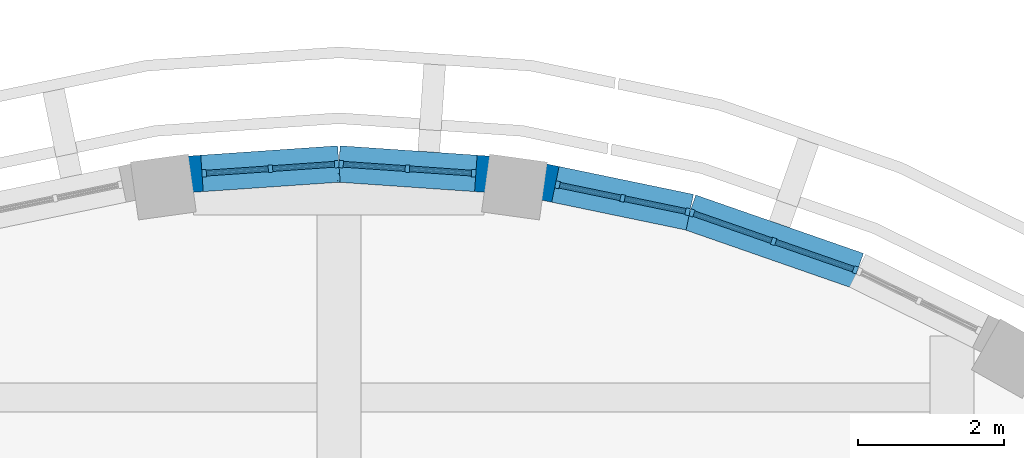
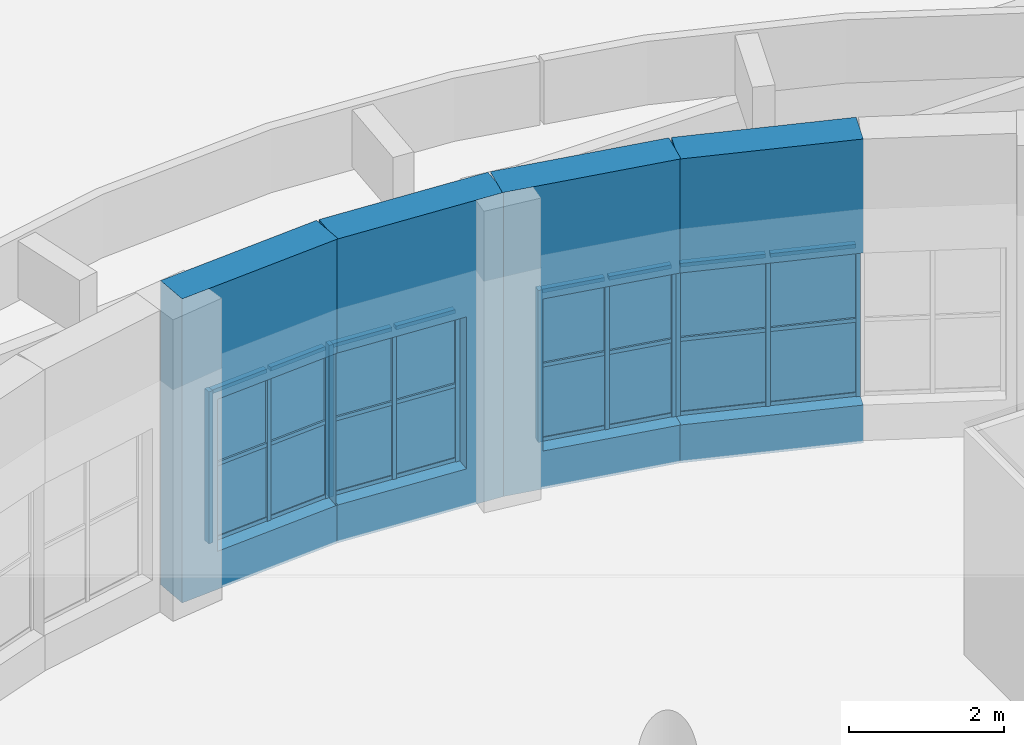
# One storey, part 36 of 79: 36 members, 16 plates, 4 walls, 4 openings, 4 elements without a shape of their own.
"""IFC4 building model written with IfcOpenShell, lengths in metres."""

from ifc_helpers import new_model, si_unit, direction, frame, frame_2d, origin, origin_2d, place, context, subcontext, project, spatial, rectangle, extrude, material, layer, layer_set, material_profile, profile_set, type_object, element, fill, aggregate, save


model = new_model("IFC4")

# Units and contexts
model_context = context("Model", 3, precision=1e-05, world=origin(), true_north=direction((0.0, 1.0)))
body_context = subcontext(model_context, "Body", "Model", "MODEL_VIEW")
ifc_project = project(units=[si_unit("LENGTHUNIT", "METRE"), si_unit("AREAUNIT", "SQUARE_METRE"), si_unit("VOLUMEUNIT", "CUBIC_METRE"), si_unit("PLANEANGLEUNIT", "RADIAN"), si_unit("MASSUNIT", "GRAM", prefix="KILO")], contexts=[model_context])

# Site, building, storey
site_placement = place(None, origin())
site = spatial("IfcSite", under=ifc_project, at=site_placement, CompositionType="ELEMENT")
building_placement = place(site_placement, origin())
building = spatial("IfcBuilding", under=site, at=building_placement, Name="Larchfold Concert Hall", CompositionType="ELEMENT")
storey_placement = place(building_placement, frame((0.0, 0.0, 14.39990234375)))
storey = spatial("IfcBuildingStorey", under=building, at=storey_placement, Name="L03", CompositionType="ELEMENT", Elevation=14.39990234375)

# Curtain wall, members
ifc_material_1 = material(Name="Anodised graphite aluminium curtain wall", Category="aluminium")
ifc_layer_1 = layer(ifc_material_1, 0.10009765625)
ifc_layer_set_1 = layer_set([ifc_layer_1], Name="Anodised graphite aluminium curtain wall")
curtain_wall_type = type_object("IfcCurtainWallType", Name="Curtain wall GB", PredefinedType="NOTDEFINED", material=ifc_layer_set_1)
curtain_wall_1_placement = place(storey_placement, origin())
curtain_wall_1 = element("IfcCurtainWall", 1, at=curtain_wall_1_placement, inside=storey, type_object=curtain_wall_type, Name="Curtain wall CW0017", PredefinedType="NOTDEFINED")
ifc_material_2 = material(Name="Anodised graphite aluminium mullion", Category="aluminium")
ifc_material_profile_1 = material_profile(ifc_material_2, rectangle(XDim=0.10009765625, YDim=0.06005859375, at=origin_2d()))
ifc_profile_set_1 = profile_set([ifc_material_profile_1], Name="Anodised graphite aluminium mullion")
member_type_1 = type_object("IfcMemberType", Name="Aluminium mullion 60x100", PredefinedType="MULLION", material=ifc_profile_set_1)
member_1_placement = place(storey_placement, frame((49.67724609375, 117.148681640625, 0.60009765625), z_axis=(0.0, 0.0, 1.0), x_axis=(-0.32887481826, -0.944373524573, 0.0)))
member_1 = element("IfcMember", 2, at=member_1_placement, type_object=member_type_1, Name="CW0017 mullion 1", PredefinedType="MULLION", context=body_context, shape_type="SweptSolid", body=[
    extrude(rectangle(XDim=0.10009765625, YDim=0.06005859375, at=origin_2d()), origin(), (0.0, 0.0, 1.0), 2.39990234375),
])
member_2_placement = place(storey_placement, frame((48.556884765625, 117.5390625, 0.60009765625), z_axis=(0.0, 0.0, 1.0), x_axis=(-0.32887481826, -0.944373524573, 0.0)))
member_2 = element("IfcMember", 3, at=member_2_placement, type_object=member_type_1, Name="CW0017 mullion 2", PredefinedType="MULLION", context=body_context, shape_type="SweptSolid", body=[
    extrude(rectangle(XDim=0.10009765625, YDim=0.06005859375, at=origin_2d()), origin(), (0.0, 0.0, 1.0), 2.39990234375),
])
member_3_placement = place(storey_placement, frame((47.4365234375, 117.92919921875, 0.60009765625), z_axis=(0.0, 0.0, 1.0), x_axis=(-0.32887481826, -0.944373524573, 0.0)))
member_3 = element("IfcMember", 4, at=member_3_placement, type_object=member_type_1, Name="CW0017 mullion 3", PredefinedType="MULLION", context=body_context, shape_type="SweptSolid", body=[
    extrude(rectangle(XDim=0.10009765625, YDim=0.06005859375, at=origin_2d()), origin(), (0.0, 0.0, 1.0), 2.39990234375),
])

curtain_wall_2_placement = place(storey_placement, origin())
curtain_wall_2 = element("IfcCurtainWall", 5, at=curtain_wall_2_placement, inside=storey, type_object=curtain_wall_type, Name="Curtain wall CW0018", PredefinedType="NOTDEFINED")
member_4_placement = place(storey_placement, frame((47.37890625, 117.945068359375, 0.60009765625), z_axis=(0.0, 0.0, 1.0), x_axis=(-0.203000450347, -0.97917864415, 0.0)))
member_4 = element("IfcMember", 6, at=member_4_placement, type_object=member_type_1, Name="CW0018 mullion 1", PredefinedType="MULLION", context=body_context, shape_type="SweptSolid", body=[
    extrude(rectangle(XDim=0.10009765625, YDim=0.06005859375, at=origin_2d()), origin(), (0.0, 0.0, 1.0), 2.39990234375),
])
member_5_placement = place(storey_placement, frame((46.4873046875, 118.1298828125, 0.60009765625), z_axis=(0.0, 0.0, 1.0), x_axis=(-0.203000450347, -0.97917864415, 0.0)))
member_5 = element("IfcMember", 7, at=member_5_placement, type_object=member_type_1, Name="CW0018 mullion 2", PredefinedType="MULLION", context=body_context, shape_type="SweptSolid", body=[
    extrude(rectangle(XDim=0.10009765625, YDim=0.06005859375, at=origin_2d()), origin(), (0.0, 0.0, 1.0), 2.39990234375),
])
member_6_placement = place(storey_placement, frame((45.595703125, 118.314697265625, 0.60009765625), z_axis=(0.0, 0.0, 1.0), x_axis=(-0.203000450347, -0.97917864415, 0.0)))
member_6 = element("IfcMember", 8, at=member_6_placement, type_object=member_type_1, Name="CW0018 mullion 3", PredefinedType="MULLION", context=body_context, shape_type="SweptSolid", body=[
    extrude(rectangle(XDim=0.10009765625, YDim=0.06005859375, at=origin_2d()), origin(), (0.0, 0.0, 1.0), 2.39990234375),
])

curtain_wall_3_placement = place(storey_placement, origin())
curtain_wall_3 = element("IfcCurtainWall", 9, at=curtain_wall_3_placement, inside=storey, type_object=curtain_wall_type, Name="Curtain wall CW0019", PredefinedType="NOTDEFINED")
member_7_placement = place(storey_placement, frame((44.446533203125, 118.47265625, 0.60009765625), z_axis=(0.0, 0.0, 1.0), x_axis=(-0.068793182221, -0.997630942824, 0.0)))
member_7 = element("IfcMember", 10, at=member_7_placement, type_object=member_type_1, Name="CW0019 mullion 1", PredefinedType="MULLION", context=body_context, shape_type="SweptSolid", body=[
    extrude(rectangle(XDim=0.10009765625, YDim=0.06005859375, at=origin_2d()), origin(), (0.0, 0.0, 1.0), 2.39990234375),
])
member_8_placement = place(storey_placement, frame((43.538330078125, 118.535400390625, 0.60009765625), z_axis=(0.0, 0.0, 1.0), x_axis=(-0.068793182221, -0.997630942824, 0.0)))
member_8 = element("IfcMember", 11, at=member_8_placement, type_object=member_type_1, Name="CW0019 mullion 2", PredefinedType="MULLION", context=body_context, shape_type="SweptSolid", body=[
    extrude(rectangle(XDim=0.10009765625, YDim=0.06005859375, at=origin_2d()), origin(), (0.0, 0.0, 1.0), 2.39990234375),
])
member_9_placement = place(storey_placement, frame((42.630126953125, 118.59814453125, 0.60009765625), z_axis=(0.0, 0.0, 1.0), x_axis=(-0.068793182221, -0.997630942824, 0.0)))
member_9 = element("IfcMember", 12, at=member_9_placement, type_object=member_type_1, Name="CW0019 mullion 3", PredefinedType="MULLION", context=body_context, shape_type="SweptSolid", body=[
    extrude(rectangle(XDim=0.10009765625, YDim=0.06005859375, at=origin_2d()), origin(), (0.0, 0.0, 1.0), 2.39990234375),
])

curtain_wall_4_placement = place(storey_placement, origin())
curtain_wall_4 = element("IfcCurtainWall", 13, at=curtain_wall_4_placement, inside=storey, type_object=curtain_wall_type, Name="Curtain wall CW0020", PredefinedType="NOTDEFINED")
member_10_placement = place(storey_placement, frame((42.570068359375, 118.59814453125, 0.60009765625), z_axis=(0.0, 0.0, 1.0), x_axis=(0.068793182221, -0.997630942824, 0.0)))
member_10 = element("IfcMember", 14, at=member_10_placement, type_object=member_type_1, Name="CW0020 mullion 1", PredefinedType="MULLION", context=body_context, shape_type="SweptSolid", body=[
    extrude(rectangle(XDim=0.10009765625, YDim=0.06005859375, at=origin_2d()), origin(), (0.0, 0.0, 1.0), 2.39990234375),
])
member_11_placement = place(storey_placement, frame((41.661865234375, 118.535400390625, 0.60009765625), z_axis=(0.0, 0.0, 1.0), x_axis=(0.068793182221, -0.997630942824, 0.0)))
member_11 = element("IfcMember", 15, at=member_11_placement, type_object=member_type_1, Name="CW0020 mullion 2", PredefinedType="MULLION", context=body_context, shape_type="SweptSolid", body=[
    extrude(rectangle(XDim=0.10009765625, YDim=0.06005859375, at=origin_2d()), origin(), (0.0, 0.0, 1.0), 2.39990234375),
])
member_12_placement = place(storey_placement, frame((40.753662109375, 118.47265625, 0.60009765625), z_axis=(0.0, 0.0, 1.0), x_axis=(0.068793182221, -0.997630942824, 0.0)))
member_12 = element("IfcMember", 16, at=member_12_placement, type_object=member_type_1, Name="CW0020 mullion 3", PredefinedType="MULLION", context=body_context, shape_type="SweptSolid", body=[
    extrude(rectangle(XDim=0.10009765625, YDim=0.06005859375, at=origin_2d()), origin(), (0.0, 0.0, 1.0), 2.39990234375),
])

# Member
ifc_material_3 = material(Name="Anodised graphite aluminium transom", Category="aluminium")
ifc_material_profile_2 = material_profile(ifc_material_3, rectangle(XDim=0.080078125, YDim=0.06005859375, at=origin_2d()))
ifc_profile_set_2 = profile_set([ifc_material_profile_2], Name="Anodised graphite aluminium transom")
member_type_2 = type_object("IfcMemberType", Name="Aluminium transom 60x80", PredefinedType="USERDEFINED", material=ifc_profile_set_2)
member_13_placement = place(storey_placement, frame((49.64892578125, 117.15869140625, 0.630126953125), z_axis=(-0.944394405271, 0.328814852604, 0.0), x_axis=(-0.328814852604, -0.944394405271, 0.0)))
member_13 = element("IfcMember", 17, at=member_13_placement, type_object=member_type_2, Name="CW0017 transom 1.1", ObjectType="TRANSOM", PredefinedType="USERDEFINED", context=body_context, shape_type="SweptSolid", body=[
    extrude(rectangle(XDim=0.080078125, YDim=0.06005859375, at=origin_2d()), origin(), (0.0, 0.0, 1.0), 1.12646484375),
])

member_14_placement = place(storey_placement, frame((49.64892578125, 117.15869140625, 1.800048828125), z_axis=(-0.944394405271, 0.328814852604, 0.0), x_axis=(-0.328814852604, -0.944394405271, 0.0)))
member_14 = element("IfcMember", 18, at=member_14_placement, type_object=member_type_2, Name="CW0017 transom 1.2", ObjectType="TRANSOM", PredefinedType="USERDEFINED", context=body_context, shape_type="SweptSolid", body=[
    extrude(rectangle(XDim=0.080078125, YDim=0.06005859375, at=origin_2d()), origin(), (0.0, 0.0, 1.0), 1.12646484375),
])

member_15_placement = place(storey_placement, frame((49.64892578125, 117.15869140625, 2.969970703125), z_axis=(-0.944394405271, 0.328814852604, 0.0), x_axis=(-0.328814852604, -0.944394405271, 0.0)))
member_15 = element("IfcMember", 19, at=member_15_placement, type_object=member_type_2, Name="CW0017 transom 1.3", ObjectType="TRANSOM", PredefinedType="USERDEFINED", context=body_context, shape_type="SweptSolid", body=[
    extrude(rectangle(XDim=0.080078125, YDim=0.06005859375, at=origin_2d()), origin(), (0.0, 0.0, 1.0), 1.12646484375),
])

member_16_placement = place(storey_placement, frame((48.528564453125, 117.548828125, 0.630126953125), z_axis=(-0.944394405271, 0.328814852604, 0.0), x_axis=(-0.328814852604, -0.944394405271, 0.0)))
member_16 = element("IfcMember", 20, at=member_16_placement, type_object=member_type_2, Name="CW0017 transom 2.1", ObjectType="TRANSOM", PredefinedType="USERDEFINED", context=body_context, shape_type="SweptSolid", body=[
    extrude(rectangle(XDim=0.080078125, YDim=0.06005859375, at=origin_2d()), origin(), (0.0, 0.0, 1.0), 1.12646484375),
])

member_17_placement = place(storey_placement, frame((48.528564453125, 117.548828125, 1.800048828125), z_axis=(-0.944394405271, 0.328814852604, 0.0), x_axis=(-0.328814852604, -0.944394405271, 0.0)))
member_17 = element("IfcMember", 21, at=member_17_placement, type_object=member_type_2, Name="CW0017 transom 2.2", ObjectType="TRANSOM", PredefinedType="USERDEFINED", context=body_context, shape_type="SweptSolid", body=[
    extrude(rectangle(XDim=0.080078125, YDim=0.06005859375, at=origin_2d()), origin(), (0.0, 0.0, 1.0), 1.12646484375),
])

member_18_placement = place(storey_placement, frame((48.528564453125, 117.548828125, 2.969970703125), z_axis=(-0.944394405271, 0.328814852604, 0.0), x_axis=(-0.328814852604, -0.944394405271, 0.0)))
member_18 = element("IfcMember", 22, at=member_18_placement, type_object=member_type_2, Name="CW0017 transom 2.3", ObjectType="TRANSOM", PredefinedType="USERDEFINED", context=body_context, shape_type="SweptSolid", body=[
    extrude(rectangle(XDim=0.080078125, YDim=0.06005859375, at=origin_2d()), origin(), (0.0, 0.0, 1.0), 1.12646484375),
])

member_19_placement = place(storey_placement, frame((47.349365234375, 117.951171875, 0.630126953125), z_axis=(-0.979187689459, 0.202956815141, 0.0), x_axis=(-0.202956815141, -0.979187689459, 0.0)))
member_19 = element("IfcMember", 23, at=member_19_placement, type_object=member_type_2, Name="CW0018 transom 1.1", ObjectType="TRANSOM", PredefinedType="USERDEFINED", context=body_context, shape_type="SweptSolid", body=[
    extrude(rectangle(XDim=0.080078125, YDim=0.06005859375, at=origin_2d()), origin(), (0.0, 0.0, 1.0), 0.850341796875),
])

member_20_placement = place(storey_placement, frame((47.349365234375, 117.951171875, 1.800048828125), z_axis=(-0.979187689459, 0.202956815141, 0.0), x_axis=(-0.202956815141, -0.979187689459, 0.0)))
member_20 = element("IfcMember", 24, at=member_20_placement, type_object=member_type_2, Name="CW0018 transom 1.2", ObjectType="TRANSOM", PredefinedType="USERDEFINED", context=body_context, shape_type="SweptSolid", body=[
    extrude(rectangle(XDim=0.080078125, YDim=0.06005859375, at=origin_2d()), origin(), (0.0, 0.0, 1.0), 0.850341796875),
])

member_21_placement = place(storey_placement, frame((47.349365234375, 117.951171875, 2.969970703125), z_axis=(-0.979187689459, 0.202956815141, 0.0), x_axis=(-0.202956815141, -0.979187689459, 0.0)))
member_21 = element("IfcMember", 25, at=member_21_placement, type_object=member_type_2, Name="CW0018 transom 1.3", ObjectType="TRANSOM", PredefinedType="USERDEFINED", context=body_context, shape_type="SweptSolid", body=[
    extrude(rectangle(XDim=0.080078125, YDim=0.06005859375, at=origin_2d()), origin(), (0.0, 0.0, 1.0), 0.850341796875),
])

member_22_placement = place(storey_placement, frame((46.4580078125, 118.135986328125, 0.630126953125), z_axis=(-0.979187689459, 0.202956815141, 0.0), x_axis=(-0.202956815141, -0.979187689459, 0.0)))
member_22 = element("IfcMember", 26, at=member_22_placement, type_object=member_type_2, Name="CW0018 transom 2.1", ObjectType="TRANSOM", PredefinedType="USERDEFINED", context=body_context, shape_type="SweptSolid", body=[
    extrude(rectangle(XDim=0.080078125, YDim=0.06005859375, at=origin_2d()), origin(), (0.0, 0.0, 1.0), 0.850341796875),
])

member_23_placement = place(storey_placement, frame((46.4580078125, 118.135986328125, 1.800048828125), z_axis=(-0.979187689459, 0.202956815141, 0.0), x_axis=(-0.202956815141, -0.979187689459, 0.0)))
member_23 = element("IfcMember", 27, at=member_23_placement, type_object=member_type_2, Name="CW0018 transom 2.2", ObjectType="TRANSOM", PredefinedType="USERDEFINED", context=body_context, shape_type="SweptSolid", body=[
    extrude(rectangle(XDim=0.080078125, YDim=0.06005859375, at=origin_2d()), origin(), (0.0, 0.0, 1.0), 0.850341796875),
])

member_24_placement = place(storey_placement, frame((46.4580078125, 118.135986328125, 2.969970703125), z_axis=(-0.979187689459, 0.202956815141, 0.0), x_axis=(-0.202956815141, -0.979187689459, 0.0)))
member_24 = element("IfcMember", 28, at=member_24_placement, type_object=member_type_2, Name="CW0018 transom 2.3", ObjectType="TRANSOM", PredefinedType="USERDEFINED", context=body_context, shape_type="SweptSolid", body=[
    extrude(rectangle(XDim=0.080078125, YDim=0.06005859375, at=origin_2d()), origin(), (0.0, 0.0, 1.0), 0.850341796875),
])

member_25_placement = place(storey_placement, frame((44.416748046875, 118.474853515625, 0.630126953125), z_axis=(-0.997623528625, 0.068900617804, 0.0), x_axis=(-0.068900617804, -0.997623528625, 0.0)))
member_25 = element("IfcMember", 29, at=member_25_placement, type_object=member_type_2, Name="CW0019 transom 1.1", ObjectType="TRANSOM", PredefinedType="USERDEFINED", context=body_context, shape_type="SweptSolid", body=[
    extrude(rectangle(XDim=0.080078125, YDim=0.06005859375, at=origin_2d()), origin(), (0.0, 0.0, 1.0), 0.850341796875),
])

member_26_placement = place(storey_placement, frame((44.416748046875, 118.474853515625, 1.800048828125), z_axis=(-0.997623528625, 0.068900617804, 0.0), x_axis=(-0.068900617804, -0.997623528625, 0.0)))
member_26 = element("IfcMember", 30, at=member_26_placement, type_object=member_type_2, Name="CW0019 transom 1.2", ObjectType="TRANSOM", PredefinedType="USERDEFINED", context=body_context, shape_type="SweptSolid", body=[
    extrude(rectangle(XDim=0.080078125, YDim=0.06005859375, at=origin_2d()), origin(), (0.0, 0.0, 1.0), 0.850341796875),
])

member_27_placement = place(storey_placement, frame((44.416748046875, 118.474853515625, 2.969970703125), z_axis=(-0.997623528625, 0.068900617804, 0.0), x_axis=(-0.068900617804, -0.997623528625, 0.0)))
member_27 = element("IfcMember", 31, at=member_27_placement, type_object=member_type_2, Name="CW0019 transom 1.3", ObjectType="TRANSOM", PredefinedType="USERDEFINED", context=body_context, shape_type="SweptSolid", body=[
    extrude(rectangle(XDim=0.080078125, YDim=0.06005859375, at=origin_2d()), origin(), (0.0, 0.0, 1.0), 0.850341796875),
])

member_28_placement = place(storey_placement, frame((43.50830078125, 118.537353515625, 0.630126953125), z_axis=(-0.997623528625, 0.068900617804, 0.0), x_axis=(-0.068900617804, -0.997623528625, 0.0)))
member_28 = element("IfcMember", 32, at=member_28_placement, type_object=member_type_2, Name="CW0019 transom 2.1", ObjectType="TRANSOM", PredefinedType="USERDEFINED", context=body_context, shape_type="SweptSolid", body=[
    extrude(rectangle(XDim=0.080078125, YDim=0.06005859375, at=origin_2d()), origin(), (0.0, 0.0, 1.0), 0.850341796875),
])

member_29_placement = place(storey_placement, frame((43.50830078125, 118.537353515625, 1.800048828125), z_axis=(-0.997623528625, 0.068900617804, 0.0), x_axis=(-0.068900617804, -0.997623528625, 0.0)))
member_29 = element("IfcMember", 33, at=member_29_placement, type_object=member_type_2, Name="CW0019 transom 2.2", ObjectType="TRANSOM", PredefinedType="USERDEFINED", context=body_context, shape_type="SweptSolid", body=[
    extrude(rectangle(XDim=0.080078125, YDim=0.06005859375, at=origin_2d()), origin(), (0.0, 0.0, 1.0), 0.850341796875),
])

member_30_placement = place(storey_placement, frame((43.50830078125, 118.537353515625, 2.969970703125), z_axis=(-0.997623528625, 0.068900617804, 0.0), x_axis=(-0.068900617804, -0.997623528625, 0.0)))
member_30 = element("IfcMember", 34, at=member_30_placement, type_object=member_type_2, Name="CW0019 transom 2.3", ObjectType="TRANSOM", PredefinedType="USERDEFINED", context=body_context, shape_type="SweptSolid", body=[
    extrude(rectangle(XDim=0.080078125, YDim=0.06005859375, at=origin_2d()), origin(), (0.0, 0.0, 1.0), 0.850341796875),
])

member_31_placement = place(storey_placement, frame((42.540283203125, 118.595947265625, 0.630126953125), z_axis=(-0.997623528625, -0.068900617804, 0.0), x_axis=(0.068900617804, -0.997623528625, 0.0)))
member_31 = element("IfcMember", 35, at=member_31_placement, type_object=member_type_2, Name="CW0020 transom 1.1", ObjectType="TRANSOM", PredefinedType="USERDEFINED", context=body_context, shape_type="SweptSolid", body=[
    extrude(rectangle(XDim=0.080078125, YDim=0.06005859375, at=origin_2d()), origin(), (0.0, 0.0, 1.0), 0.850341796875),
])

member_32_placement = place(storey_placement, frame((42.540283203125, 118.595947265625, 1.800048828125), z_axis=(-0.997623528625, -0.068900617804, 0.0), x_axis=(0.068900617804, -0.997623528625, 0.0)))
member_32 = element("IfcMember", 36, at=member_32_placement, type_object=member_type_2, Name="CW0020 transom 1.2", ObjectType="TRANSOM", PredefinedType="USERDEFINED", context=body_context, shape_type="SweptSolid", body=[
    extrude(rectangle(XDim=0.080078125, YDim=0.06005859375, at=origin_2d()), origin(), (0.0, 0.0, 1.0), 0.850341796875),
])

member_33_placement = place(storey_placement, frame((42.540283203125, 118.595947265625, 2.969970703125), z_axis=(-0.997623528625, -0.068900617804, 0.0), x_axis=(0.068900617804, -0.997623528625, 0.0)))
member_33 = element("IfcMember", 37, at=member_33_placement, type_object=member_type_2, Name="CW0020 transom 1.3", ObjectType="TRANSOM", PredefinedType="USERDEFINED", context=body_context, shape_type="SweptSolid", body=[
    extrude(rectangle(XDim=0.080078125, YDim=0.06005859375, at=origin_2d()), origin(), (0.0, 0.0, 1.0), 0.850341796875),
])

member_34_placement = place(storey_placement, frame((41.6318359375, 118.533447265625, 0.630126953125), z_axis=(-0.997623528625, -0.068900617804, 0.0), x_axis=(0.068900617804, -0.997623528625, 0.0)))
member_34 = element("IfcMember", 38, at=member_34_placement, type_object=member_type_2, Name="CW0020 transom 2.1", ObjectType="TRANSOM", PredefinedType="USERDEFINED", context=body_context, shape_type="SweptSolid", body=[
    extrude(rectangle(XDim=0.080078125, YDim=0.06005859375, at=origin_2d()), origin(), (0.0, 0.0, 1.0), 0.850341796875),
])

member_35_placement = place(storey_placement, frame((41.6318359375, 118.533447265625, 1.800048828125), z_axis=(-0.997623528625, -0.068900617804, 0.0), x_axis=(0.068900617804, -0.997623528625, 0.0)))
member_35 = element("IfcMember", 39, at=member_35_placement, type_object=member_type_2, Name="CW0020 transom 2.2", ObjectType="TRANSOM", PredefinedType="USERDEFINED", context=body_context, shape_type="SweptSolid", body=[
    extrude(rectangle(XDim=0.080078125, YDim=0.06005859375, at=origin_2d()), origin(), (0.0, 0.0, 1.0), 0.850341796875),
])

member_36_placement = place(storey_placement, frame((41.6318359375, 118.533447265625, 2.969970703125), z_axis=(-0.997623528625, -0.068900617804, 0.0), x_axis=(0.068900617804, -0.997623528625, 0.0)))
member_36 = element("IfcMember", 40, at=member_36_placement, type_object=member_type_2, Name="CW0020 transom 2.3", ObjectType="TRANSOM", PredefinedType="USERDEFINED", context=body_context, shape_type="SweptSolid", body=[
    extrude(rectangle(XDim=0.080078125, YDim=0.06005859375, at=origin_2d()), origin(), (0.0, 0.0, 1.0), 0.850341796875),
])

# Plate
ifc_material_4 = material(Name="Insulated glazing unit, glass", Category="glass")
ifc_layer_2 = layer(ifc_material_4, 0.02392578125)
ifc_layer_set_2 = layer_set([ifc_layer_2], Name="Insulated glazing unit, glass")
plate_type_1 = type_object("IfcPlateType", Name="Glass panel 24", PredefinedType="CURTAIN_PANEL", material=ifc_layer_set_2)
plate_1_placement = place(storey_placement, frame((49.116943359375, 117.34375, 1.830078125), z_axis=(0.0, 0.0, 1.0), x_axis=(-0.944373524573, 0.32887481826, 0.0)))
plate_1 = element("IfcPlate", 41, at=plate_1_placement, type_object=plate_type_1, Name="CW0017 panel 1.2", PredefinedType="CURTAIN_PANEL", context=body_context, shape_type="SweptSolid", body=[
    extrude(rectangle(XDim=1.126220703125, YDim=0.02392578125, at=origin_2d()), origin(), (0.0, 0.0, 1.0), 1.10986328125),
])

plate_2_placement = place(storey_placement, frame((47.996826171875, 117.734130859375, 1.830078125), z_axis=(0.0, 0.0, 1.0), x_axis=(-0.944373524573, 0.32887481826, 0.0)))
plate_2 = element("IfcPlate", 42, at=plate_2_placement, type_object=plate_type_1, Name="CW0017 panel 2.2", PredefinedType="CURTAIN_PANEL", context=body_context, shape_type="SweptSolid", body=[
    extrude(rectangle(XDim=1.126220703125, YDim=0.02392578125, at=origin_2d()), origin(), (0.0, 0.0, 1.0), 1.10986328125),
])

plate_3_placement = place(storey_placement, frame((46.93310546875, 118.037353515625, 1.830078125), z_axis=(0.0, 0.0, 1.0), x_axis=(-0.97917864415, 0.203000450347, 0.0)))
plate_3 = element("IfcPlate", 43, at=plate_3_placement, type_object=plate_type_1, Name="CW0018 panel 1.2", PredefinedType="CURTAIN_PANEL", context=body_context, shape_type="SweptSolid", body=[
    extrude(rectangle(XDim=0.8505859375, YDim=0.02392578125, at=origin_2d()), origin(), (0.0, 0.0, 1.0), 1.10986328125),
])

plate_4_placement = place(storey_placement, frame((46.04150390625, 118.222412109375, 1.830078125), z_axis=(0.0, 0.0, 1.0), x_axis=(-0.97917864415, 0.203000450347, 0.0)))
plate_4 = element("IfcPlate", 44, at=plate_4_placement, type_object=plate_type_1, Name="CW0018 panel 2.2", PredefinedType="CURTAIN_PANEL", context=body_context, shape_type="SweptSolid", body=[
    extrude(rectangle(XDim=0.8505859375, YDim=0.02392578125, at=origin_2d()), origin(), (0.0, 0.0, 1.0), 1.10986328125),
])

plate_5_placement = place(storey_placement, frame((43.992431640625, 118.504150390625, 1.830078125), z_axis=(0.0, 0.0, 1.0), x_axis=(-0.997630942824, 0.068793182221, 0.0)))
plate_5 = element("IfcPlate", 45, at=plate_5_placement, type_object=plate_type_1, Name="CW0019 panel 1.2", PredefinedType="CURTAIN_PANEL", context=body_context, shape_type="SweptSolid", body=[
    extrude(rectangle(XDim=0.850341796875, YDim=0.02392578125, at=origin_2d()), origin(), (0.0, 0.0, 1.0), 1.10986328125),
])

plate_6_placement = place(storey_placement, frame((43.084228515625, 118.566650390625, 1.830078125), z_axis=(0.0, 0.0, 1.0), x_axis=(-0.997630942824, 0.068793182221, 0.0)))
plate_6 = element("IfcPlate", 46, at=plate_6_placement, type_object=plate_type_1, Name="CW0019 panel 2.2", PredefinedType="CURTAIN_PANEL", context=body_context, shape_type="SweptSolid", body=[
    extrude(rectangle(XDim=0.850341796875, YDim=0.02392578125, at=origin_2d()), origin(), (0.0, 0.0, 1.0), 1.10986328125),
])

plate_7_placement = place(storey_placement, frame((42.115966796875, 118.566650390625, 1.830078125), z_axis=(0.0, 0.0, 1.0), x_axis=(-0.997630942824, -0.068793182221, 0.0)))
plate_7 = element("IfcPlate", 47, at=plate_7_placement, type_object=plate_type_1, Name="CW0020 panel 1.2", PredefinedType="CURTAIN_PANEL", context=body_context, shape_type="SweptSolid", body=[
    extrude(rectangle(XDim=0.850341796875, YDim=0.02392578125, at=origin_2d()), origin(), (0.0, 0.0, 1.0), 1.10986328125),
])

plate_8_placement = place(storey_placement, frame((41.207763671875, 118.504150390625, 1.830078125), z_axis=(0.0, 0.0, 1.0), x_axis=(-0.997630942824, -0.068793182221, 0.0)))
plate_8 = element("IfcPlate", 48, at=plate_8_placement, type_object=plate_type_1, Name="CW0020 panel 2.2", PredefinedType="CURTAIN_PANEL", context=body_context, shape_type="SweptSolid", body=[
    extrude(rectangle(XDim=0.850341796875, YDim=0.02392578125, at=origin_2d()), origin(), (0.0, 0.0, 1.0), 1.10986328125),
])

ifc_material_5 = material(Name="White insulated panel")
ifc_layer_3 = layer(ifc_material_5, 0.050048828125)
ifc_layer_set_3 = layer_set([ifc_layer_3], Name="White insulated panel")
plate_type_2 = type_object("IfcPlateType", Name="Insulated spandrel panel 50", PredefinedType="CURTAIN_PANEL", material=ifc_layer_set_3)
plate_9_placement = place(storey_placement, frame((49.116943359375, 117.34375, 0.66015625), z_axis=(0.0, 0.0, 1.0), x_axis=(-0.944373524573, 0.32887481826, 0.0)))
plate_9 = element("IfcPlate", 49, at=plate_9_placement, type_object=plate_type_2, Name="CW0017 panel 1.1", PredefinedType="CURTAIN_PANEL", context=body_context, shape_type="SweptSolid", body=[
    extrude(rectangle(XDim=1.126220703125, YDim=0.050048828125, at=origin_2d()), origin(), (0.0, 0.0, 1.0), 1.10986328125),
])

plate_10_placement = place(storey_placement, frame((47.996826171875, 117.734130859375, 0.66015625), z_axis=(0.0, 0.0, 1.0), x_axis=(-0.944373524573, 0.32887481826, 0.0)))
plate_10 = element("IfcPlate", 50, at=plate_10_placement, type_object=plate_type_2, Name="CW0017 panel 2.1", PredefinedType="CURTAIN_PANEL", context=body_context, shape_type="SweptSolid", body=[
    extrude(rectangle(XDim=1.126220703125, YDim=0.050048828125, at=origin_2d()), origin(), (0.0, 0.0, 1.0), 1.10986328125),
])

aggregate(curtain_wall_1, [member_1, member_2, member_3, member_13, member_14, member_15, plate_9, plate_1, member_16, member_17, member_18, plate_10, plate_2])

plate_11_placement = place(storey_placement, frame((46.93310546875, 118.037353515625, 0.66015625), z_axis=(0.0, 0.0, 1.0), x_axis=(-0.97917864415, 0.203000450347, 0.0)))
plate_11 = element("IfcPlate", 51, at=plate_11_placement, type_object=plate_type_2, Name="CW0018 panel 1.1", PredefinedType="CURTAIN_PANEL", context=body_context, shape_type="SweptSolid", body=[
    extrude(rectangle(XDim=0.8505859375, YDim=0.050048828125, at=origin_2d()), origin(), (0.0, 0.0, 1.0), 1.10986328125),
])

plate_12_placement = place(storey_placement, frame((46.04150390625, 118.222412109375, 0.66015625), z_axis=(0.0, 0.0, 1.0), x_axis=(-0.97917864415, 0.203000450347, 0.0)))
plate_12 = element("IfcPlate", 52, at=plate_12_placement, type_object=plate_type_2, Name="CW0018 panel 2.1", PredefinedType="CURTAIN_PANEL", context=body_context, shape_type="SweptSolid", body=[
    extrude(rectangle(XDim=0.8505859375, YDim=0.050048828125, at=origin_2d()), origin(), (0.0, 0.0, 1.0), 1.10986328125),
])

aggregate(curtain_wall_2, [member_4, member_5, member_6, member_19, member_20, member_21, plate_11, plate_3, member_22, member_23, member_24, plate_12, plate_4])

plate_13_placement = place(storey_placement, frame((43.992431640625, 118.504150390625, 0.66015625), z_axis=(0.0, 0.0, 1.0), x_axis=(-0.997630942824, 0.068793182221, 0.0)))
plate_13 = element("IfcPlate", 53, at=plate_13_placement, type_object=plate_type_2, Name="CW0019 panel 1.1", PredefinedType="CURTAIN_PANEL", context=body_context, shape_type="SweptSolid", body=[
    extrude(rectangle(XDim=0.850341796875, YDim=0.050048828125, at=origin_2d()), origin(), (0.0, 0.0, 1.0), 1.10986328125),
])

plate_14_placement = place(storey_placement, frame((43.084228515625, 118.566650390625, 0.66015625), z_axis=(0.0, 0.0, 1.0), x_axis=(-0.997630942824, 0.068793182221, 0.0)))
plate_14 = element("IfcPlate", 54, at=plate_14_placement, type_object=plate_type_2, Name="CW0019 panel 2.1", PredefinedType="CURTAIN_PANEL", context=body_context, shape_type="SweptSolid", body=[
    extrude(rectangle(XDim=0.850341796875, YDim=0.050048828125, at=origin_2d()), origin(), (0.0, 0.0, 1.0), 1.10986328125),
])

aggregate(curtain_wall_3, [member_7, member_8, member_9, member_25, member_26, member_27, plate_13, plate_5, member_28, member_29, member_30, plate_14, plate_6])

plate_15_placement = place(storey_placement, frame((42.115966796875, 118.566650390625, 0.66015625), z_axis=(0.0, 0.0, 1.0), x_axis=(-0.997630942824, -0.068793182221, 0.0)))
plate_15 = element("IfcPlate", 55, at=plate_15_placement, type_object=plate_type_2, Name="CW0020 panel 1.1", PredefinedType="CURTAIN_PANEL", context=body_context, shape_type="SweptSolid", body=[
    extrude(rectangle(XDim=0.850341796875, YDim=0.050048828125, at=origin_2d()), origin(), (0.0, 0.0, 1.0), 1.10986328125),
])

plate_16_placement = place(storey_placement, frame((41.207763671875, 118.504150390625, 0.66015625), z_axis=(0.0, 0.0, 1.0), x_axis=(-0.997630942824, -0.068793182221, 0.0)))
plate_16 = element("IfcPlate", 56, at=plate_16_placement, type_object=plate_type_2, Name="CW0020 panel 2.1", PredefinedType="CURTAIN_PANEL", context=body_context, shape_type="SweptSolid", body=[
    extrude(rectangle(XDim=0.850341796875, YDim=0.050048828125, at=origin_2d()), origin(), (0.0, 0.0, 1.0), 1.10986328125),
])

aggregate(curtain_wall_4, [member_10, member_11, member_12, member_31, member_32, member_33, plate_15, plate_7, member_34, member_35, member_36, plate_16, plate_8])

# Wall, opening
ifc_material_6 = material(Name="Concrete C30/37", Category="concrete")
ifc_layer_4 = layer(ifc_material_6, 0.5)
ifc_layer_set_4 = layer_set([ifc_layer_4], Name="Concrete C30/37")
wall_type = type_object("IfcWallType", Name="Wall RC 500 drum facade", PredefinedType="SOLIDWALL", material=ifc_layer_set_4)
wall_1_placement = place(storey_placement, frame((49.70556640625, 117.138916015625, 0.0), z_axis=(0.0, 0.0, 1.0), x_axis=(-0.944373524566, 0.328874818279, 0.0)))
wall_1 = element("IfcWall", 57, at=wall_1_placement, inside=storey, type_object=wall_type, Name="Wall DW017", PredefinedType="SOLIDWALL", context=body_context, shape_type="SweptSolid", body=[
    extrude(rectangle(XDim=2.4326171875, YDim=0.5, at=frame_2d((1.21630859375, 0.0))), origin(), (0.0, 0.0, 1.0), 4.800048828125),
])
opening_1_placement = place(wall_1_placement, frame((0.0, 0.0, 0.60009765625)))
opening_1 = element("IfcOpeningElement", 58, at=opening_1_placement, cuts=wall_1, Name="Opening CW0017", PredefinedType="OPENING", context=body_context, shape_type="SweptSolid", body=[
    extrude(rectangle(XDim=2.4326171875, YDim=2.39990234375, at=frame_2d((1.21630859375, 1.199951171875))), frame((0.0, 0.260009765625, 0.0), z_axis=(0.0, -1.0, 0.0), x_axis=(1.0, 0.0, 0.0)), (0.0, 0.0, 1.0), 0.52001953125),
])

fill(opening_1, curtain_wall_1)

wall_2_placement = place(storey_placement, frame((47.408203125, 117.93896484375, 0.0), z_axis=(0.0, 0.0, 1.0), x_axis=(-0.979166233049, 0.203060306454, 0.0)))
wall_2 = element("IfcWall", 59, at=wall_2_placement, inside=storey, type_object=wall_type, Name="Wall DW018", PredefinedType="SOLIDWALL", context=body_context, shape_type="SweptSolid", body=[
    extrude(rectangle(XDim=2.432373046875, YDim=0.5, at=frame_2d((1.21630859375, 0.0))), origin(), (0.0, 0.0, 1.0), 4.800048828125),
])
opening_2_placement = place(wall_2_placement, frame((0.0, 0.0, 0.60009765625)))
opening_2 = element("IfcOpeningElement", 60, at=opening_2_placement, cuts=wall_2, Name="Opening CW0018", PredefinedType="OPENING", context=body_context, shape_type="SweptSolid", body=[
    extrude(rectangle(XDim=1.880859375, YDim=2.39990234375, at=frame_2d((0.9404296875, 1.199951171875))), frame((0.0, 0.260009765625, 0.0), z_axis=(0.0, -1.0, 0.0), x_axis=(1.0, 0.0, 0.0)), (0.0, 0.0, 1.0), 0.52001953125),
])

fill(opening_2, curtain_wall_2)

wall_3_placement = place(storey_placement, frame((45.026611328125, 118.432861328125, 0.0), z_axis=(0.0, 0.0, 1.0), x_axis=(-0.997633415899, 0.068757308571, 0.0)))
wall_3 = element("IfcWall", 61, at=wall_3_placement, inside=storey, type_object=wall_type, Name="Wall DW019", PredefinedType="SOLIDWALL", context=body_context, shape_type="SweptSolid", body=[
    extrude(rectangle(XDim=2.432373046875, YDim=0.5, at=frame_2d((1.21630859375, 0.0))), origin(), (0.0, 0.0, 1.0), 4.800048828125),
])
opening_3_placement = place(wall_3_placement, frame((0.55126953125, 0.0, 0.60009765625)))
opening_3 = element("IfcOpeningElement", 62, at=opening_3_placement, cuts=wall_3, Name="Opening CW0019", PredefinedType="OPENING", context=body_context, shape_type="SweptSolid", body=[
    extrude(rectangle(XDim=1.880859375, YDim=2.39990234375, at=frame_2d((0.9404296875, 1.199951171875))), frame((0.0, 0.260009765625, 0.0), z_axis=(0.0, -1.0, 0.0), x_axis=(1.0, 0.0, 0.0)), (0.0, 0.0, 1.0), 0.52001953125),
])

fill(opening_3, curtain_wall_3)

wall_4_placement = place(storey_placement, frame((42.60009765625, 118.60009765625, 0.0), z_axis=(0.0, 0.0, 1.0), x_axis=(-0.997633415899, -0.068757308571, 0.0)))
wall_4 = element("IfcWall", 63, at=wall_4_placement, inside=storey, type_object=wall_type, Name="Wall DW020", PredefinedType="SOLIDWALL", context=body_context, shape_type="SweptSolid", body=[
    extrude(rectangle(XDim=2.432373046875, YDim=0.5, at=frame_2d((1.21630859375, 0.0))), origin(), (0.0, 0.0, 1.0), 4.800048828125),
])
opening_4_placement = place(wall_4_placement, frame((0.0, 0.0, 0.60009765625)))
opening_4 = element("IfcOpeningElement", 64, at=opening_4_placement, cuts=wall_4, Name="Opening CW0020", PredefinedType="OPENING", context=body_context, shape_type="SweptSolid", body=[
    extrude(rectangle(XDim=1.880859375, YDim=2.39990234375, at=frame_2d((0.9404296875, 1.199951171875))), frame((0.0, 0.260009765625, 0.0), z_axis=(0.0, -1.0, 0.0), x_axis=(1.0, 0.0, 0.0)), (0.0, 0.0, 1.0), 0.52001953125),
])

fill(opening_4, curtain_wall_4)

save(model, "model.ifc")
